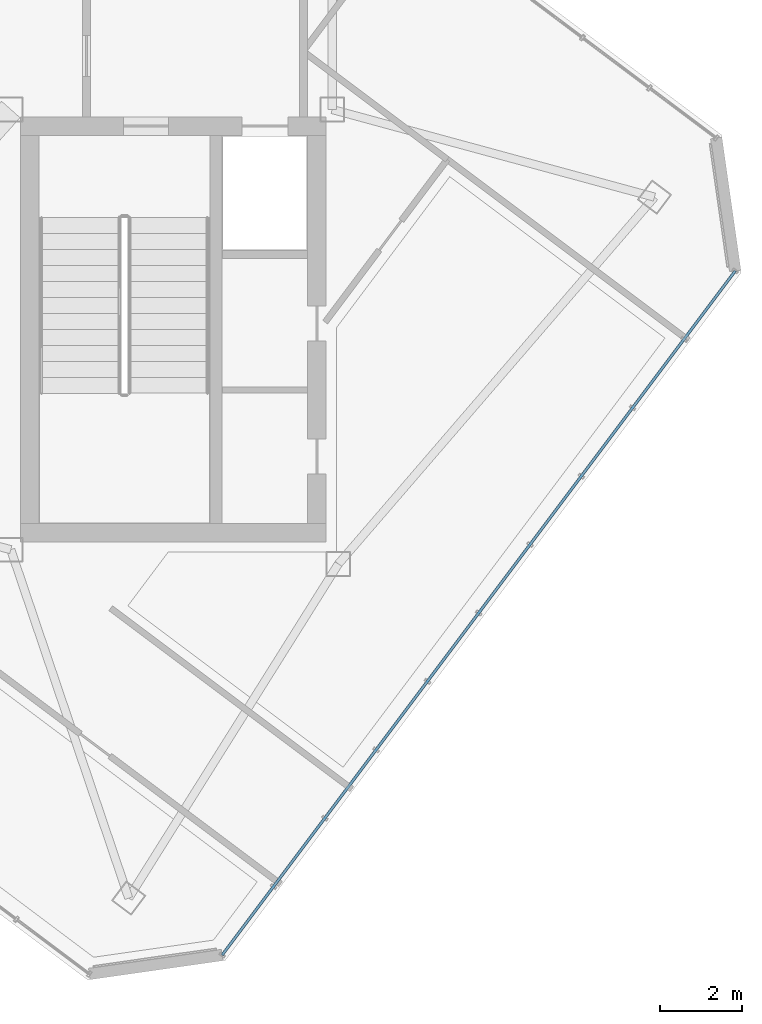
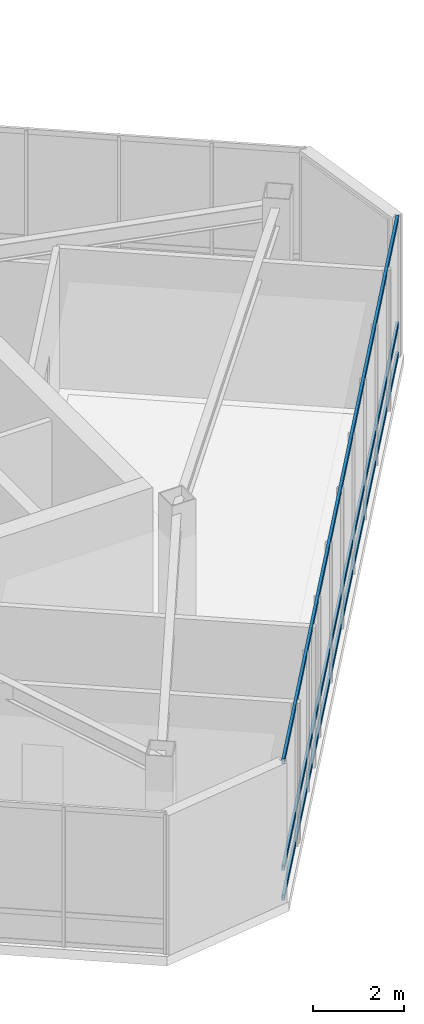
# One storey, part 10 of 31: 3 members, 1 element without a shape of its own.
"""IFC4 building model written with IfcOpenShell, lengths in metres."""

from ifc_helpers import new_model, si_unit, direction, frame, origin, origin_2d, place, context, subcontext, project, spatial, hollow_rectangle, extrude, material, layer, layer_set, material_profile, profile_set, type_object, element, aggregate, save


model = new_model("IFC4")

# Units and contexts
model_context = context("Model", 3, precision=1e-05, world=origin(), true_north=direction((0.0, 1.0)))
body_context = subcontext(model_context, "Body", "Model", "MODEL_VIEW")
ifc_project = project(units=[si_unit("LENGTHUNIT", "METRE"), si_unit("AREAUNIT", "SQUARE_METRE"), si_unit("VOLUMEUNIT", "CUBIC_METRE"), si_unit("PLANEANGLEUNIT", "RADIAN"), si_unit("MASSUNIT", "GRAM", prefix="KILO")], contexts=[model_context])

# Site, building, storey
site_placement = place(None, origin())
site = spatial("IfcSite", under=ifc_project, at=site_placement, CompositionType="ELEMENT")
building_placement = place(site_placement, origin())
building = spatial("IfcBuilding", under=site, at=building_placement, Name="Hatsunagi Terrace Concourse", CompositionType="ELEMENT")
storey_placement = place(building_placement, frame((0.0, 0.0, 269.949951171875)))
storey = spatial("IfcBuildingStorey", under=building, at=storey_placement, Name="L71", CompositionType="ELEMENT", Elevation=269.949951171875)

# Curtain wall, members
ifc_material_1 = material(Name="Anodised Aluminium Alloy 6063-T5", Category="aluminium")
ifc_layer = layer(ifc_material_1, 0.199951171875)
ifc_layer_set = layer_set([ifc_layer], Name="CrownWintergarden_CW06")
curtain_wall_type = type_object("IfcCurtainWallType", Name="CrownWintergarden_CW06", PredefinedType="NOTDEFINED", material=ifc_layer_set)
curtain_wall_placement = place(storey_placement, origin())
curtain_wall = element("IfcCurtainWall", 1, at=curtain_wall_placement, inside=storey, type_object=curtain_wall_type, Name="Unitised Curtain Wall CW-06 CW-L71-03", PredefinedType="NOTDEFINED")
ifc_material_2 = material(Name="Anodised Aluminium Alloy 6063-T5", Category="aluminium")
ifc_material_profile = material_profile(ifc_material_2, hollow_rectangle(XDim=0.06494140625, YDim=0.139892578125, WallThickness=0.00390625, at=origin_2d()), Name="ALU-TRN-140x65x4")
ifc_profile_set = profile_set([ifc_material_profile], Name="Anodised Aluminium Alloy 6063-T5")
member_type = type_object("IfcMemberType", Name="CurtainWallTransom_140x65", PredefinedType="USERDEFINED", material=ifc_profile_set)
member_1_placement = place(storey_placement, frame((53.492919921875, 31.35791015625, 0.050048828125), z_axis=(-0.599970072971, -0.800022444397, 0.0), x_axis=(0.800022444397, -0.599970072971, 0.0)))
member_1 = element("IfcMember", 2, at=member_1_placement, type_object=member_type, Name="Curtain Wall Transom TRN-02", ObjectType="TRANSOM", PredefinedType="USERDEFINED", context=body_context, shape_type="SweptSolid", body=[
    extrude(hollow_rectangle(XDim=0.06494140625, YDim=0.139892578125, WallThickness=0.00390625, at=origin_2d()), origin(), (0.0, 0.0, 1.0), 20.884521484375),
])
member_2_placement = place(storey_placement, frame((53.492919921875, 31.35791015625, 0.85009765625), z_axis=(-0.599970072971, -0.800022444397, 0.0), x_axis=(0.800022444397, -0.599970072971, 0.0)))
member_2 = element("IfcMember", 3, at=member_2_placement, type_object=member_type, Name="Curtain Wall Transom TRN-02", ObjectType="TRANSOM", PredefinedType="USERDEFINED", context=body_context, shape_type="SweptSolid", body=[
    extrude(hollow_rectangle(XDim=0.06494140625, YDim=0.139892578125, WallThickness=0.00390625, at=origin_2d()), origin(), (0.0, 0.0, 1.0), 20.884521484375),
])
member_3_placement = place(storey_placement, frame((53.492919921875, 31.35791015625, 3.68994140625), z_axis=(-0.599970072971, -0.800022444397, 0.0), x_axis=(0.800022444397, -0.599970072971, 0.0)))
member_3 = element("IfcMember", 4, at=member_3_placement, type_object=member_type, Name="Curtain Wall Transom TRN-02", ObjectType="TRANSOM", PredefinedType="USERDEFINED", context=body_context, shape_type="SweptSolid", body=[
    extrude(hollow_rectangle(XDim=0.06494140625, YDim=0.139892578125, WallThickness=0.00390625, at=origin_2d()), origin(), (0.0, 0.0, 1.0), 20.884521484375),
])
aggregate(curtain_wall, [member_1, member_2, member_3])

save(model, "model.ifc")
